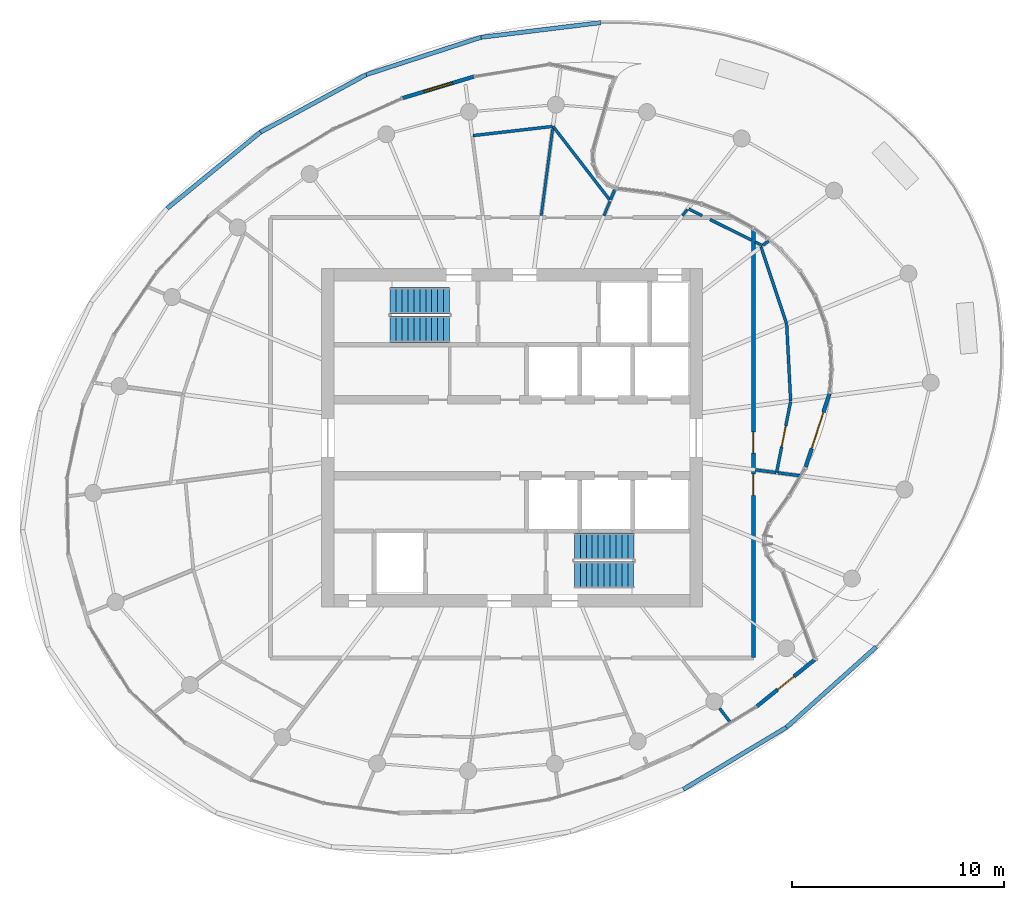
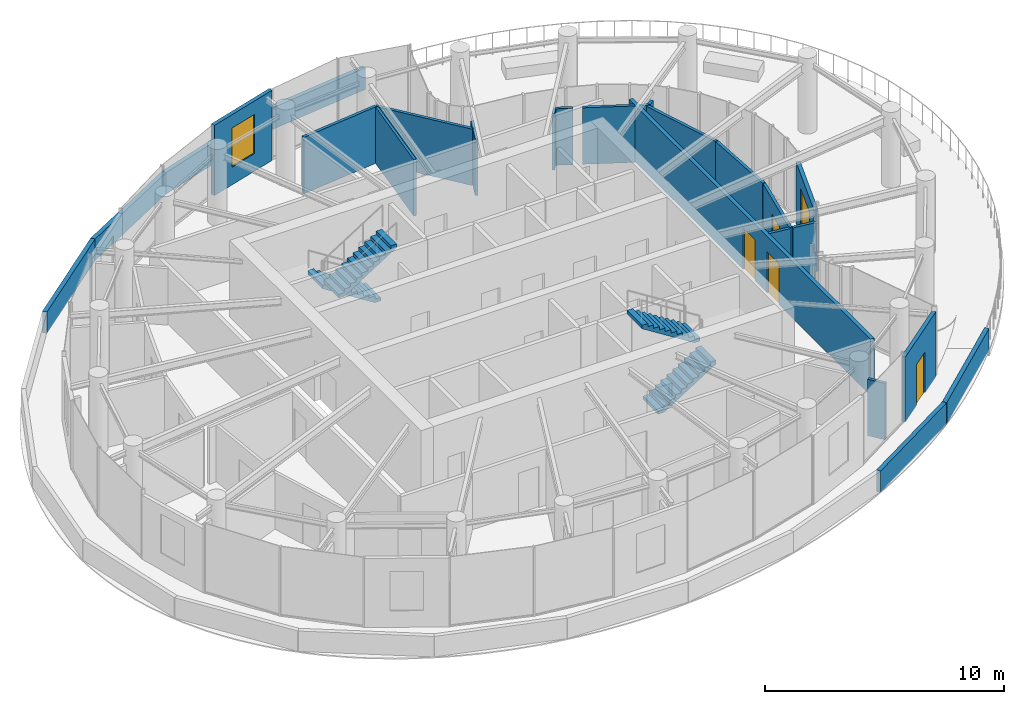
# One storey, part 14 of 19: 26 walls, 5 doors, 4 stair flights, 1 window, 6 openings, 2 elements without a shape of their own.
"""IFC4 building model written with IfcOpenShell, lengths in metres."""

from ifc_helpers import new_model, si_unit, direction, frame, frame_2d, origin, place, context, subcontext, project, spatial, line, indexed_curve, rectangle, outline, extrude, source, transform, mapped, material, layer, layer_set, type_object, element, fill, aggregate, save


model = new_model("IFC4")

# Units and contexts
model_context = context("Model", 3, precision=1e-05, world=origin(), true_north=direction((0.0, 1.0)))
body_context = subcontext(model_context, "Body", "Model", "MODEL_VIEW")
ifc_project = project(units=[si_unit("LENGTHUNIT", "METRE"), si_unit("AREAUNIT", "SQUARE_METRE"), si_unit("VOLUMEUNIT", "CUBIC_METRE"), si_unit("PLANEANGLEUNIT", "RADIAN"), si_unit("MASSUNIT", "GRAM", prefix="KILO")], contexts=[model_context])

# Site, building, storey
site_placement = place(None, origin())
site = spatial("IfcSite", under=ifc_project, at=site_placement, CompositionType="ELEMENT")
building_placement = place(site_placement, origin())
building = spatial("IfcBuilding", under=site, at=building_placement, Name="Spindrift Exchange Tower", CompositionType="ELEMENT")
storey_placement = place(building_placement, frame((0.0, 0.0, 234.5)))
storey = spatial("IfcBuildingStorey", under=building, at=storey_placement, Name="L57", CompositionType="ELEMENT", Elevation=234.5)

# Walls
ifc_material_1 = material(Name="Concrete 40 MPa", Category="concrete")
ifc_layer_1 = layer(ifc_material_1, 0.199951171875)
ifc_layer_set_1 = layer_set([ifc_layer_1], Name="LEDGE PARAPET 1100")
wall_type_1 = type_object("IfcWallType", Name="LEDGE PARAPET 1100", PredefinedType="PARAPET", material=ifc_layer_set_1)
wall_1_placement = place(storey_placement, frame((69.2021484375, 38.130615234375, 0.0), z_axis=(0.0, 0.0, 1.0), x_axis=(-0.744428214978, -0.667702503174, 0.0)))
element("IfcWall", 1, at=wall_1_placement, inside=storey, type_object=wall_type_1, Name="L57 Ledge Parapet 1", PredefinedType="PARAPET", context=body_context, shape_type="SweptSolid", body=[
    extrude(rectangle(XDim=5.689453125, YDim=0.199951171875, at=frame_2d((2.8447265625, 0.0))), origin(), (0.0, 0.0, 1.0), 1.10009765625),
])
wall_2_placement = place(storey_placement, frame((64.966796875, 34.331787109375, 0.0), z_axis=(0.0, 0.0, 1.0), x_axis=(-0.857208875939, -0.51496887577, 0.0)))
element("IfcWall", 2, at=wall_2_placement, inside=storey, type_object=wall_type_1, Name="L57 Ledge Parapet 2", PredefinedType="PARAPET", context=body_context, shape_type="SweptSolid", body=[
    extrude(rectangle(XDim=5.6904296875, YDim=0.199951171875, at=frame_2d((2.84521484375, 0.0))), origin(), (0.0, 0.0, 1.0), 1.10009765625),
])
wall_3_placement = place(storey_placement, frame((35.71875, 58.83154296875, 0.0), z_axis=(0.0, 0.0, 1.0), x_axis=(0.77415990789, 0.632990076554, 0.0)))
element("IfcWall", 3, at=wall_3_placement, inside=storey, type_object=wall_type_1, Name="L57 Ledge Parapet 13", PredefinedType="PARAPET", context=body_context, shape_type="SweptSolid", body=[
    extrude(rectangle(XDim=5.689697265625, YDim=0.199951171875, at=frame_2d((2.8447265625, 0.0))), origin(), (0.0, 0.0, 1.0), 1.10009765625),
])
wall_4_placement = place(storey_placement, frame((40.12353515625, 62.43310546875, 0.0), z_axis=(0.0, 0.0, 1.0), x_axis=(0.878476952586, 0.477784725348, 0.0)))
element("IfcWall", 4, at=wall_4_placement, inside=storey, type_object=wall_type_1, Name="L57 Ledge Parapet 14", PredefinedType="PARAPET", context=body_context, shape_type="SweptSolid", body=[
    extrude(rectangle(XDim=5.69091796875, YDim=0.199951171875, at=frame_2d((2.845458984375, 0.0))), origin(), (0.0, 0.0, 1.0), 1.10009765625),
])
wall_5_placement = place(storey_placement, frame((45.122802734375, 65.152099609375, 0.0), z_axis=(0.0, 0.0, 1.0), x_axis=(0.950936910484, 0.309384861103, 0.0)))
element("IfcWall", 5, at=wall_5_placement, inside=storey, type_object=wall_type_1, Name="L57 Ledge Parapet 15", PredefinedType="PARAPET", context=body_context, shape_type="SweptSolid", body=[
    extrude(rectangle(XDim=5.6904296875, YDim=0.199951171875, at=frame_2d((2.84521484375, 0.0))), origin(), (0.0, 0.0, 1.0), 1.10009765625),
])
wall_6_placement = place(storey_placement, frame((50.533935546875, 66.91259765625, 0.0), z_axis=(0.0, 0.0, 1.0), x_axis=(0.99257148352, 0.121662854243, 0.0)))
element("IfcWall", 6, at=wall_6_placement, inside=storey, type_object=wall_type_1, Name="L57 Ledge Parapet 16", PredefinedType="PARAPET", context=body_context, shape_type="SweptSolid", body=[
    extrude(rectangle(XDim=5.68896484375, YDim=0.199951171875, at=frame_2d((2.844482421875, 0.0))), origin(), (0.0, 0.0, 1.0), 1.10009765625),
])

# Wall, opening, window
ifc_material_2 = material(Name="Bronze anodised aluminium frame with fritted laminated glass spandrel", Category="aluminium")
ifc_layer_2 = layer(ifc_material_2, 0.179931640625)
ifc_layer_set_2 = layer_set([ifc_layer_2], Name="UNITISED FRAME WALL")
wall_type_2 = type_object("IfcWallType", Name="UNITISED FRAME WALL", PredefinedType="STANDARD", material=ifc_layer_set_2)
wall_7_placement = place(storey_placement, frame((50.207275390625, 65.059326171875, 0.0), z_axis=(0.0, 0.0, 1.0), x_axis=(-0.957413689823, -0.288719633104, 0.0)))
wall_7 = element("IfcWall", 7, at=wall_7_placement, inside=storey, type_object=wall_type_2, Name="L57 Frame Wall 2", PredefinedType="STANDARD", context=body_context, shape_type="SweptSolid", body=[
    extrude(rectangle(XDim=3.526123046875, YDim=0.179931640625, at=frame_2d((1.76318359375, 0.0))), origin(), (0.0, 0.0, 1.0), 3.580078125),
])
opening_1_placement = place(wall_7_placement, frame((1.06298828125, 0.0, 0.89990234375)))
opening_1 = element("IfcOpeningElement", 8, at=opening_1_placement, cuts=wall_7, Name="Opening WV57-01", PredefinedType="OPENING", context=body_context, shape_type="SweptSolid", body=[
    extrude(rectangle(XDim=1.39990234375, YDim=2.0, at=frame_2d((0.699951171875, 1.0))), frame((0.0, 0.099853515625, 0.0), z_axis=(0.0, -1.0, 0.0), x_axis=(1.0, 0.0, 0.0)), (0.0, 0.0, 1.0), 0.199951171875),
])
ifc_material_3 = material(Name="Clear laminated low-iron glass in bronze frame", Category="glass")
window_type = type_object("IfcWindowType", Name="OPERABLE CLEAR VENT 1400X2000", PartitioningType="SINGLE_PANEL", PredefinedType="WINDOW", material=ifc_material_3)
shared_shape_1 = source(origin(), body_context, "Body", "SweptSolid", [
    extrude(rectangle(XDim=1.39990234375, YDim=2.0, at=frame_2d((0.699951171875, 1.0))), frame((0.0, 0.030029296875, 0.0), z_axis=(0.0, -1.0, 0.0), x_axis=(1.0, 0.0, 0.0)), (0.0, 0.0, 1.0), 0.06005859375),
])
window_placement = place(opening_1_placement, origin())
window = element("IfcWindow", 9, at=window_placement, inside=storey, type_object=window_type, Name="L57 Operable Vent WV57-01", OverallHeight=2.0, OverallWidth=1.39990234375, PartitioningType="SINGLE_PANEL", PredefinedType="WINDOW", context=body_context, shape_type="MappedRepresentation", body=[
    mapped(shared_shape_1, transform((0.0, 0.0, 0.0), scale=1.0)),
])
fill(opening_1, window)

# Wall, opening, door
ifc_layer_3 = layer(ifc_material_2, 0.179931640625)
ifc_layer_set_3 = layer_set([ifc_layer_3], Name="UNITISED FRAME WALL TO BEAM SOFFIT")
wall_type_3 = type_object("IfcWallType", Name="UNITISED FRAME WALL TO BEAM SOFFIT", PredefinedType="STANDARD", material=ifc_layer_set_3)
wall_8_placement = place(storey_placement, frame((63.55810546875, 35.31494140625, 0.0), z_axis=(0.0, 0.0, 1.0), x_axis=(0.77832244361, 0.627864773477, 0.0)))
wall_8 = element("IfcWall", 10, at=wall_8_placement, inside=storey, type_object=wall_type_3, Name="L57 Frame Wall 22", PredefinedType="STANDARD", context=body_context, shape_type="SweptSolid", body=[
    extrude(rectangle(XDim=3.526123046875, YDim=0.179931640625, at=frame_2d((1.76318359375, 0.0))), origin(), (0.0, 0.0, 1.0), 3.327880859375),
])
opening_2_placement = place(wall_8_placement, frame((1.262939453125, 0.0, 0.0)))
opening_2 = element("IfcOpeningElement", 11, at=opening_2_placement, cuts=wall_8, Name="Opening ED57-2", PredefinedType="OPENING", context=body_context, shape_type="SweptSolid", body=[
    extrude(rectangle(XDim=1.0, YDim=2.10009765625, at=frame_2d((0.5, 1.050048828125))), frame((0.0, 0.099853515625, 0.0), z_axis=(0.0, -1.0, 0.0), x_axis=(1.0, 0.0, 0.0)), (0.0, 0.0, 1.0), 0.199951171875),
])
ifc_material_4 = material(Name="Galvanised steel door leaf, polyester powder coat", Category="steel")
door_type_1 = type_object("IfcDoorType", Name="MAINTENANCE ACCESS DOOR 1000X2100", OperationType="SINGLE_SWING_LEFT", PredefinedType="DOOR", material=ifc_material_4)
shared_shape_2 = source(origin(), body_context, "Body", "SweptSolid", [
    extrude(rectangle(XDim=1.0, YDim=2.10009765625, at=frame_2d((0.5, 1.050048828125))), frame((0.0, 0.02490234375, 0.0), z_axis=(0.0, -1.0, 0.0), x_axis=(1.0, 0.0, 0.0)), (0.0, 0.0, 1.0), 0.050048828125),
])
door_1_placement = place(opening_2_placement, origin())
door_1 = element("IfcDoor", 12, at=door_1_placement, inside=storey, type_object=door_type_1, Name="L57 Maintenance Access Door ED57-2", OperationType="SINGLE_SWING_LEFT", OverallHeight=2.10009765625, OverallWidth=1.0, PredefinedType="DOOR", context=body_context, shape_type="MappedRepresentation", body=[
    mapped(shared_shape_2, transform((0.0, 0.0, 0.0), scale=1.0)),
])
fill(opening_2, door_1)

wall_9_placement = place(storey_placement, frame((65.866943359375, 46.61279296875, 0.0), z_axis=(0.0, 0.0, 1.0), x_axis=(0.308262986163, 0.951301178051, 0.0)))
wall_9 = element("IfcWall", 13, at=wall_9_placement, inside=storey, type_object=wall_type_3, Name="L57 Frame Wall 31", PredefinedType="STANDARD", context=body_context, shape_type="SweptSolid", body=[
    extrude(rectangle(XDim=3.65576171875, YDim=0.179931640625, at=frame_2d((1.827880859375, 0.0))), origin(), (0.0, 0.0, 1.0), 3.1259765625),
])
opening_3_placement = place(wall_9_placement, frame((0.927978515625, 0.0, 0.0)))
opening_3 = element("IfcOpeningElement", 14, at=opening_3_placement, cuts=wall_9, Name="Opening ED57-1", PredefinedType="OPENING", context=body_context, shape_type="SweptSolid", body=[
    extrude(rectangle(XDim=1.800048828125, YDim=2.39990234375, at=frame_2d((0.89990234375, 1.199951171875))), frame((0.0, 0.099853515625, 0.0), z_axis=(0.0, -1.0, 0.0), x_axis=(1.0, 0.0, 0.0)), (0.0, 0.0, 1.0), 0.199951171875),
])
ifc_material_5 = material(Name="Toughened laminated glass in bronze frame", Category="glass")
door_type_2 = type_object("IfcDoorType", Name="TERRACE GLASS DOOR 1800X2400", OperationType="DOUBLE_DOOR_SINGLE_SWING", PredefinedType="DOOR", material=ifc_material_5)
shared_shape_3 = source(origin(), body_context, "Body", "SweptSolid", [
    extrude(rectangle(XDim=1.800048828125, YDim=2.39990234375, at=frame_2d((0.89990234375, 1.199951171875))), frame((0.0, 0.02490234375, 0.0), z_axis=(0.0, -1.0, 0.0), x_axis=(1.0, 0.0, 0.0)), (0.0, 0.0, 1.0), 0.050048828125),
])
door_2_placement = place(opening_3_placement, origin())
door_2 = element("IfcDoor", 15, at=door_2_placement, inside=storey, type_object=door_type_2, Name="L57 Terrace Glass Door ED57-1", OperationType="DOUBLE_DOOR_SINGLE_SWING", OverallHeight=2.39990234375, OverallWidth=1.800048828125, PredefinedType="DOOR", context=body_context, shape_type="MappedRepresentation", body=[
    mapped(shared_shape_3, transform((0.0, 0.0, 0.0), scale=1.0)),
])
fill(opening_3, door_2)

# Wall, openings, doors
ifc_material_6 = material(Name="Fire-rated plasterboard partition", Category="gypsum")
ifc_layer_4 = layer(ifc_material_6, 0.179931640625)
ifc_layer_set_4 = layer_set([ifc_layer_4], Name="W-CORR-180")
wall_type_4 = type_object("IfcWallType", Name="W-CORR-180", PredefinedType="PARTITIONING", material=ifc_layer_set_4)
wall_10_placement = place(storey_placement, frame((63.39990234375, 57.812255859375, 0.0), z_axis=(0.0, 0.0, 1.0), x_axis=(0.0, -1.0, 0.0)))
wall_10 = element("IfcWall", 16, at=wall_10_placement, inside=storey, type_object=wall_type_4, Name="L57 Partition wall 30", PredefinedType="PARTITIONING", context=body_context, shape_type="SweptSolid", body=[
    extrude(rectangle(XDim=20.182373046875, YDim=0.179931640625, at=frame_2d((10.09130859375, 0.0))), origin(), (0.0, 0.0, 1.0), 2.8798828125),
])
opening_4_placement = place(wall_10_placement, frame((9.5322265625, 0.0, 0.0)))
opening_4 = element("IfcOpeningElement", 17, at=opening_4_placement, cuts=wall_10, Name="Opening L57-D19", PredefinedType="OPENING", context=body_context, shape_type="SweptSolid", body=[
    extrude(rectangle(XDim=1.0, YDim=2.10009765625, at=frame_2d((0.5, 1.050048828125))), frame((0.0, 0.099853515625, 0.0), z_axis=(0.0, -1.0, 0.0), x_axis=(1.0, 0.0, 0.0)), (0.0, 0.0, 1.0), 0.199951171875),
])
opening_5_placement = place(wall_10_placement, frame((11.5322265625, 0.0, 0.0)))
opening_5 = element("IfcOpeningElement", 18, at=opening_5_placement, cuts=wall_10, Name="Opening L57-D38", PredefinedType="OPENING", context=body_context, shape_type="SweptSolid", body=[
    extrude(rectangle(XDim=1.0, YDim=2.10009765625, at=frame_2d((0.5, 1.050048828125))), frame((0.0, 0.099853515625, 0.0), z_axis=(0.0, -1.0, 0.0), x_axis=(1.0, 0.0, 0.0)), (0.0, 0.0, 1.0), 0.199951171875),
])
ifc_material_7 = material(Name="Timber-core fire door", Category="wood")
door_type_3 = type_object("IfcDoorType", Name="DR-ROOM-1000", OperationType="NOTDEFINED", PredefinedType="DOOR", material=ifc_material_7)
shared_shape_4 = source(origin(), body_context, "Body", "SweptSolid", [
    extrude(rectangle(XDim=1.0, YDim=2.10009765625, at=frame_2d((0.5, 1.050048828125))), frame((0.0, 0.02490234375, 0.0), z_axis=(0.0, -1.0, 0.0), x_axis=(1.0, 0.0, 0.0)), (0.0, 0.0, 1.0), 0.050048828125),
])
door_3_placement = place(opening_4_placement, origin())
door_3 = element("IfcDoor", 19, at=door_3_placement, inside=storey, type_object=door_type_3, Name="L57 Door 19", OperationType="SINGLE_SWING_LEFT", OverallHeight=2.10009765625, OverallWidth=1.0, PredefinedType="DOOR", context=body_context, shape_type="MappedRepresentation", body=[
    mapped(shared_shape_4, transform((0.0, 0.0, 0.0), scale=1.0)),
])
fill(opening_4, door_3)
door_4_placement = place(opening_5_placement, origin())
door_4 = element("IfcDoor", 20, at=door_4_placement, inside=storey, type_object=door_type_3, Name="L57 Door 38", OperationType="SINGLE_SWING_RIGHT", OverallHeight=2.10009765625, OverallWidth=1.0, PredefinedType="DOOR", context=body_context, shape_type="MappedRepresentation", body=[
    mapped(shared_shape_4, transform((0.0, 0.0, 0.0), scale=1.0)),
])
fill(opening_5, door_4)

# Walls
ifc_layer_5 = layer(ifc_material_6, 0.139892578125)
ifc_layer_set_5 = layer_set([ifc_layer_5], Name="W-PART-140")
wall_type_5 = type_object("IfcWallType", Name="W-PART-140", PredefinedType="PARTITIONING", material=ifc_layer_set_5)
wall_11_placement = place(storey_placement, frame((56.61572265625, 59.23388671875, 0.0), z_axis=(0.0, 0.0, 1.0), x_axis=(-0.610799466813, 0.791785331603, 0.0)))
element("IfcWall", 21, at=wall_11_placement, inside=storey, type_object=wall_type_5, Name="L57 Partition wall 35", PredefinedType="PARTITIONING", context=body_context, shape_type="SweptSolid", body=[
    extrude(rectangle(XDim=4.38671875, YDim=0.139892578125, at=frame_2d((2.193359375, 0.0))), origin(), (0.0, 0.0, 1.0), 2.8798828125),
])
wall_12_placement = place(storey_placement, frame((64.970703125, 53.37255859375, 0.0), z_axis=(0.0, 0.0, 1.0), x_axis=(-0.315237319433, 0.94901287264, 0.0)))
element("IfcWall", 22, at=wall_12_placement, inside=storey, type_object=wall_type_5, Name="L57 Partition wall 44", PredefinedType="PARTITIONING", context=body_context, shape_type="SweptSolid", body=[
    extrude(rectangle(XDim=3.845947265625, YDim=0.139892578125, at=frame_2d((1.9228515625, 0.0))), origin(), (0.0, 0.0, 1.0), 2.8798828125),
])
wall_13_placement = place(storey_placement, frame((53.906494140625, 62.703857421875, 0.0), z_axis=(0.0, 0.0, 1.0), x_axis=(-0.993401559809, -0.114688015803, 0.0)))
element("IfcWall", 23, at=wall_13_placement, inside=storey, type_object=wall_type_5, Name="L57 Partition wall 45", PredefinedType="PARTITIONING", context=body_context, shape_type="SweptSolid", body=[
    extrude(rectangle(XDim=3.77001953125, YDim=0.139892578125, at=frame_2d((1.885009765625, 0.0))), origin(), (0.0, 0.0, 1.0), 2.8798828125),
])
wall_14_placement = place(storey_placement, frame((65.159912109375, 49.732421875, 0.0), z_axis=(0.0, 0.0, 1.0), x_axis=(-0.051931454633, 0.998650651639, 0.0)))
element("IfcWall", 24, at=wall_14_placement, inside=storey, type_object=wall_type_5, Name="L57 Partition wall 48", PredefinedType="PARTITIONING", context=body_context, shape_type="SweptSolid", body=[
    extrude(rectangle(XDim=3.615234375, YDim=0.139892578125, at=frame_2d((1.8076171875, 0.0))), origin(), (0.0, 0.0, 1.0), 2.8798828125),
])

# Wall, opening, door
wall_15_placement = place(storey_placement, frame((65.154052734375, 49.703125, 0.0), z_axis=(0.0, 0.0, 1.0), x_axis=(-0.193102031635, -0.981178681677, 0.0)))
wall_15 = element("IfcWall", 25, at=wall_15_placement, inside=storey, type_object=wall_type_5, Name="L57 Partition wall 50", PredefinedType="PARTITIONING", context=body_context, shape_type="SweptSolid", body=[
    extrude(rectangle(XDim=3.412353515625, YDim=0.139892578125, at=frame_2d((1.7060546875, 0.0))), origin(), (0.0, 0.0, 1.0), 2.8798828125),
])
opening_6_placement = place(wall_15_placement, frame((1.162353515625, 0.0, 0.0)))
opening_6 = element("IfcOpeningElement", 26, at=opening_6_placement, cuts=wall_15, Name="Opening L57-D20", PredefinedType="OPENING", context=body_context, shape_type="SweptSolid", body=[
    extrude(rectangle(XDim=1.0, YDim=2.10009765625, at=frame_2d((0.5, 1.050048828125))), frame((0.0, 0.079833984375, 0.0), z_axis=(0.0, -1.0, 0.0), x_axis=(1.0, 0.0, 0.0)), (0.0, 0.0, 1.0), 0.159912109375),
])
door_5_placement = place(opening_6_placement, origin())
door_5 = element("IfcDoor", 27, at=door_5_placement, inside=storey, type_object=door_type_3, Name="L57 Door 20", OperationType="SINGLE_SWING_RIGHT", OverallHeight=2.10009765625, OverallWidth=1.0, PredefinedType="DOOR", context=body_context, shape_type="MappedRepresentation", body=[
    mapped(shared_shape_4, transform((0.0, 0.0, 0.0), scale=1.0)),
])
fill(opening_6, door_5)

# Walls
wall_16_placement = place(storey_placement, frame((63.31005859375, 57.33544921875, 0.0), z_axis=(0.0, 0.0, 1.0), x_axis=(-0.895715462777, 0.444627720394, 0.0)))
element("IfcWall", 28, at=wall_16_placement, inside=storey, type_object=wall_type_5, Name="L57 Partition wall 54", PredefinedType="PARTITIONING", context=body_context, shape_type="SweptSolid", body=[
    extrude(rectangle(XDim=2.19189453125, YDim=0.139892578125, at=frame_2d((1.095947265625, 0.0))), origin(), (0.0, 0.0, 1.0), 2.8798828125),
])
wall_17_placement = place(storey_placement, frame((63.489990234375, 46.4873046875, 0.0), z_axis=(0.0, 0.0, 1.0), x_axis=(0.991447538325, -0.130505857147, 0.0)))
element("IfcWall", 29, at=wall_17_placement, inside=storey, type_object=wall_type_5, Name="L57 Partition wall 56", PredefinedType="PARTITIONING", context=body_context, shape_type="SweptSolid", body=[
    extrude(rectangle(XDim=0.98388671875, YDim=0.139892578125, at=frame_2d((0.491943359375, 0.0))), origin(), (0.0, 0.0, 1.0), 2.8798828125),
])
wall_18_placement = place(storey_placement, frame((64.564697265625, 46.345703125, 0.0), z_axis=(0.0, 0.0, 1.0), x_axis=(0.991447064532, -0.130509456483, 0.0)))
element("IfcWall", 30, at=wall_18_placement, inside=storey, type_object=wall_type_5, Name="L57 Partition wall 57", PredefinedType="PARTITIONING", context=body_context, shape_type="SweptSolid", body=[
    extrude(rectangle(XDim=1.034423828125, YDim=0.139892578125, at=frame_2d((0.51708984375, 0.0))), origin(), (0.0, 0.0, 1.0), 2.8798828125),
])
wall_19_placement = place(storey_placement, frame((60.98388671875, 58.489990234375, 0.0), z_axis=(0.0, 0.0, 1.0), x_axis=(-0.895720092889, 0.444618392775, 0.0)))
element("IfcWall", 31, at=wall_19_placement, inside=storey, type_object=wall_type_5, Name="L57 Partition wall 71", PredefinedType="PARTITIONING", context=body_context, shape_type="SweptSolid", body=[
    extrude(rectangle(XDim=0.715576171875, YDim=0.139892578125, at=frame_2d((0.35791015625, 0.0))), origin(), (0.0, 0.0, 1.0), 2.8798828125),
])
wall_20_placement = place(storey_placement, frame((61.802001953125, 35.225830078125, 0.0), z_axis=(0.0, 0.0, 1.0), x_axis=(0.608755530265, -0.793357866522, 0.0)))
element("IfcWall", 32, at=wall_20_placement, inside=storey, type_object=wall_type_5, Name="L57 Partition wall 76", PredefinedType="PARTITIONING", context=body_context, shape_type="SweptSolid", body=[
    extrude(rectangle(XDim=0.790771484375, YDim=0.139892578125, at=frame_2d((0.3955078125, 0.0))), origin(), (0.0, 0.0, 1.0), 2.8798828125),
])
wall_21_placement = place(storey_placement, frame((56.65625, 59.240966796875, 0.0), z_axis=(0.0, 0.0, 1.0), x_axis=(0.382646127148, 0.923894983956, 0.0)))
element("IfcWall", 33, at=wall_21_placement, inside=storey, type_object=wall_type_5, Name="L57 Partition wall 78", PredefinedType="PARTITIONING", context=body_context, shape_type="SweptSolid", body=[
    extrude(rectangle(XDim=0.537109375, YDim=0.139892578125, at=frame_2d((0.2685546875, 0.0))), origin(), (0.0, 0.0, 1.0), 2.8798828125),
])
wall_22_placement = place(storey_placement, frame((63.830078125, 57.077392578125, 0.0), z_axis=(0.0, 0.0, 1.0), x_axis=(-0.895837533814, 0.444381719932, 0.0)))
element("IfcWall", 34, at=wall_22_placement, inside=storey, type_object=wall_type_5, Name="L57 Partition wall 79", PredefinedType="PARTITIONING", context=body_context, shape_type="SweptSolid", body=[
    extrude(rectangle(XDim=0.379638671875, YDim=0.139892578125, at=frame_2d((0.18994140625, 0.0))), origin(), (0.0, 0.0, 1.0), 2.8798828125),
])
wall_23_placement = place(storey_placement, frame((63.853759765625, 57.095703125, 0.0), z_axis=(0.0, 0.0, 1.0), x_axis=(0.793499623352, 0.608570741772, 0.0)))
element("IfcWall", 35, at=wall_23_placement, inside=storey, type_object=wall_type_5, Name="L57 Partition wall 80", PredefinedType="PARTITIONING", context=body_context, shape_type="SweptSolid", body=[
    extrude(rectangle(XDim=0.331298828125, YDim=0.139892578125, at=frame_2d((0.16552734375, 0.0))), origin(), (0.0, 0.0, 1.0), 2.8798828125),
])
ifc_layer_6 = layer(ifc_material_6, 0.1201171875)
ifc_layer_set_6 = layer_set([ifc_layer_6], Name="W-WET-120")
wall_type_6 = type_object("IfcWallType", Name="W-WET-120", PredefinedType="PARTITIONING", material=ifc_layer_set_6)
wall_24_placement = place(storey_placement, frame((53.381103515625, 58.489990234375, 0.0), z_axis=(0.0, 0.0, 1.0), x_axis=(0.130504671909, 0.991447694339, 0.0)))
element("IfcWall", 36, at=wall_24_placement, inside=storey, type_object=wall_type_6, Name="L57 Partition wall 81", PredefinedType="PARTITIONING", context=body_context, shape_type="SweptSolid", body=[
    extrude(rectangle(XDim=4.155029296875, YDim=0.1201171875, at=frame_2d((2.07763671875, 0.0))), origin(), (0.0, 0.0, 1.0), 2.8798828125),
])
wall_25_placement = place(storey_placement, frame((56.34521484375, 58.489990234375, 0.0), z_axis=(0.0, 0.0, 1.0), x_axis=(0.382646687913, 0.923894751706, 0.0)))
element("IfcWall", 37, at=wall_25_placement, inside=storey, type_object=wall_type_6, Name="L57 Partition wall 82", PredefinedType="PARTITIONING", context=body_context, shape_type="SweptSolid", body=[
    extrude(rectangle(XDim=0.731201171875, YDim=0.1201171875, at=frame_2d((0.36572265625, 0.0))), origin(), (0.0, 0.0, 1.0), 2.8798828125),
])
wall_26_placement = place(storey_placement, frame((60.04931640625, 58.489990234375, 0.0), z_axis=(0.0, 0.0, 1.0), x_axis=(0.608676467498, 0.793418526324, 0.0)))
element("IfcWall", 38, at=wall_26_placement, inside=storey, type_object=wall_type_6, Name="L57 Partition wall 83", PredefinedType="PARTITIONING", context=body_context, shape_type="SweptSolid", body=[
    extrude(rectangle(XDim=0.376708984375, YDim=0.1201171875, at=frame_2d((0.1884765625, 0.0))), origin(), (0.0, 0.0, 1.0), 2.8798828125),
])

# Stair, stair flights
ifc_material_8 = material(Name="Concrete 50 MPa", Category="concrete")
stair_type = type_object("IfcStairType", Name="ST-1250-R177", PredefinedType="HALF_TURN_STAIR", material=ifc_material_8)
stair_1_placement = place(storey_placement, origin())
stair_1 = element("IfcStair", 39, at=stair_1_placement, inside=storey, type_object=stair_type, Name="L57 Exit stair ST1", PredefinedType="HALF_TURN_STAIR")
stair_flight_type = type_object("IfcStairFlightType", Name="STF-1250-R177", PredefinedType="STRAIGHT", material=ifc_material_8)
stair_flight_1_placement = place(storey_placement, frame((49.050048828125, 54.47509765625, 0.0), z_axis=(0.0, 0.0, 1.0), x_axis=(-1.0, 0.0, 0.0)))
stair_flight_1 = element("IfcStairFlight", 40, at=stair_flight_1_placement, type_object=stair_flight_type, Name="ST1 flight 1", NumberOfRisers=11, NumberOfTreads=10, PredefinedType="STRAIGHT", RiserHeight=0.177272727, TreadLength=0.28, context=body_context, shape_type="SweptSolid", body=[
    extrude(outline(indexed_curve([(0.0, 0.0), (0.0, 0.177734375), (0.2802734375, 0.177734375), (0.2802734375, 0.3544921875), (0.5595703125, 0.3544921875), (0.5595703125, 0.5322265625), (0.83984375, 0.5322265625), (0.83984375, 0.708984375), (1.1201171875, 0.708984375), (1.1201171875, 0.88671875), (1.400390625, 0.88671875), (1.400390625, 1.0634765625), (1.6796875, 1.0634765625), (1.6796875, 1.2412109375), (1.9599609375, 1.2412109375), (1.9599609375, 1.41796875), (2.240234375, 1.41796875), (2.240234375, 1.595703125), (2.51953125, 1.595703125), (2.51953125, 1.7724609375), (2.7998046875, 1.7724609375), (2.7998046875, 1.9501953125), (2.7998046875, 1.595703125), (0.2802734375, 0.0)], segments=[line(1, 2, 3, 4, 5, 6, 7, 8, 9, 10, 11, 12, 13, 14, 15, 16, 17, 18, 19, 20, 21, 22, 23, 24, 1)], self_intersect=False)), frame((0.0, 0.625, 0.0), z_axis=(0.0, -1.0, 0.0), x_axis=(1.0, 0.0, 0.0)), (0.0, 0.0, 1.0), 1.25),
])
stair_flight_2_placement = place(storey_placement, frame((46.25, 53.125, 1.949951171875), z_axis=(0.0, 0.0, 1.0), x_axis=(1.0, 0.0, 0.0)))
stair_flight_2 = element("IfcStairFlight", 41, at=stair_flight_2_placement, type_object=stair_flight_type, Name="ST1 flight 2", NumberOfRisers=11, NumberOfTreads=10, PredefinedType="STRAIGHT", RiserHeight=0.177272727, TreadLength=0.28, context=body_context, shape_type="SweptSolid", body=[
    extrude(outline(indexed_curve([(0.0, 0.0), (0.0, 0.177734375), (0.2802734375, 0.177734375), (0.2802734375, 0.3544921875), (0.5595703125, 0.3544921875), (0.5595703125, 0.5322265625), (0.83984375, 0.5322265625), (0.83984375, 0.708984375), (1.1201171875, 0.708984375), (1.1201171875, 0.88671875), (1.400390625, 0.88671875), (1.400390625, 1.0634765625), (1.6796875, 1.0634765625), (1.6796875, 1.2412109375), (1.9599609375, 1.2412109375), (1.9599609375, 1.41796875), (2.240234375, 1.41796875), (2.240234375, 1.595703125), (2.51953125, 1.595703125), (2.51953125, 1.7724609375), (2.7998046875, 1.7724609375), (2.7998046875, 1.9501953125), (2.7998046875, 1.595703125), (0.2802734375, 0.0)], segments=[line(1, 2, 3, 4, 5, 6, 7, 8, 9, 10, 11, 12, 13, 14, 15, 16, 17, 18, 19, 20, 21, 22, 23, 24, 1)], self_intersect=False)), frame((0.0, 0.625, 0.0), z_axis=(0.0, -1.0, 0.0), x_axis=(1.0, 0.0, 0.0)), (0.0, 0.0, 1.0), 1.25),
])
aggregate(stair_1, [stair_flight_1, stair_flight_2])

stair_2_placement = place(storey_placement, origin())
stair_2 = element("IfcStair", 42, at=stair_2_placement, inside=storey, type_object=stair_type, Name="L57 Exit stair ST2", PredefinedType="HALF_TURN_STAIR")
stair_flight_3_placement = place(storey_placement, frame((54.949951171875, 41.52490234375, 0.0), z_axis=(0.0, 0.0, 1.0), x_axis=(1.0, 0.0, 0.0)))
stair_flight_3 = element("IfcStairFlight", 43, at=stair_flight_3_placement, type_object=stair_flight_type, Name="ST2 flight 1", NumberOfRisers=11, NumberOfTreads=10, PredefinedType="STRAIGHT", RiserHeight=0.177272727, TreadLength=0.28, context=body_context, shape_type="SweptSolid", body=[
    extrude(outline(indexed_curve([(0.0, 0.0), (0.0, 0.177734375), (0.2802734375, 0.177734375), (0.2802734375, 0.3544921875), (0.5595703125, 0.3544921875), (0.5595703125, 0.5322265625), (0.83984375, 0.5322265625), (0.83984375, 0.708984375), (1.1201171875, 0.708984375), (1.1201171875, 0.88671875), (1.400390625, 0.88671875), (1.400390625, 1.0634765625), (1.6796875, 1.0634765625), (1.6796875, 1.2412109375), (1.9599609375, 1.2412109375), (1.9599609375, 1.41796875), (2.240234375, 1.41796875), (2.240234375, 1.595703125), (2.51953125, 1.595703125), (2.51953125, 1.7724609375), (2.7998046875, 1.7724609375), (2.7998046875, 1.9501953125), (2.7998046875, 1.595703125), (0.2802734375, 0.0)], segments=[line(1, 2, 3, 4, 5, 6, 7, 8, 9, 10, 11, 12, 13, 14, 15, 16, 17, 18, 19, 20, 21, 22, 23, 24, 1)], self_intersect=False)), frame((0.0, 0.625, 0.0), z_axis=(0.0, -1.0, 0.0), x_axis=(1.0, 0.0, 0.0)), (0.0, 0.0, 1.0), 1.25),
])
stair_flight_4_placement = place(storey_placement, frame((57.75, 42.875, 1.949951171875), z_axis=(0.0, 0.0, 1.0), x_axis=(-1.0, 0.0, 0.0)))
stair_flight_4 = element("IfcStairFlight", 44, at=stair_flight_4_placement, type_object=stair_flight_type, Name="ST2 flight 2", NumberOfRisers=11, NumberOfTreads=10, PredefinedType="STRAIGHT", RiserHeight=0.177272727, TreadLength=0.28, context=body_context, shape_type="SweptSolid", body=[
    extrude(outline(indexed_curve([(0.0, 0.0), (0.0, 0.177734375), (0.2802734375, 0.177734375), (0.2802734375, 0.3544921875), (0.5595703125, 0.3544921875), (0.5595703125, 0.5322265625), (0.83984375, 0.5322265625), (0.83984375, 0.708984375), (1.1201171875, 0.708984375), (1.1201171875, 0.88671875), (1.400390625, 0.88671875), (1.400390625, 1.0634765625), (1.6796875, 1.0634765625), (1.6796875, 1.2412109375), (1.9599609375, 1.2412109375), (1.9599609375, 1.41796875), (2.240234375, 1.41796875), (2.240234375, 1.595703125), (2.51953125, 1.595703125), (2.51953125, 1.7724609375), (2.7998046875, 1.7724609375), (2.7998046875, 1.9501953125), (2.7998046875, 1.595703125), (0.2802734375, 0.0)], segments=[line(1, 2, 3, 4, 5, 6, 7, 8, 9, 10, 11, 12, 13, 14, 15, 16, 17, 18, 19, 20, 21, 22, 23, 24, 1)], self_intersect=False)), frame((0.0, 0.625, 0.0), z_axis=(0.0, -1.0, 0.0), x_axis=(1.0, 0.0, 0.0)), (0.0, 0.0, 1.0), 1.25),
])
aggregate(stair_2, [stair_flight_3, stair_flight_4])

save(model, "model.ifc")
